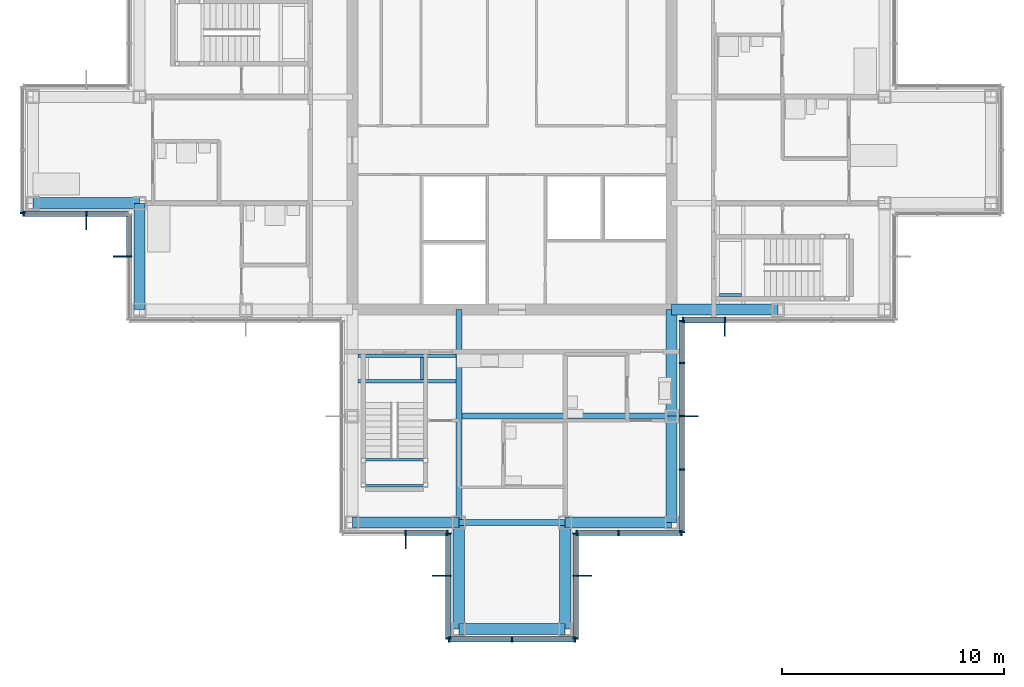
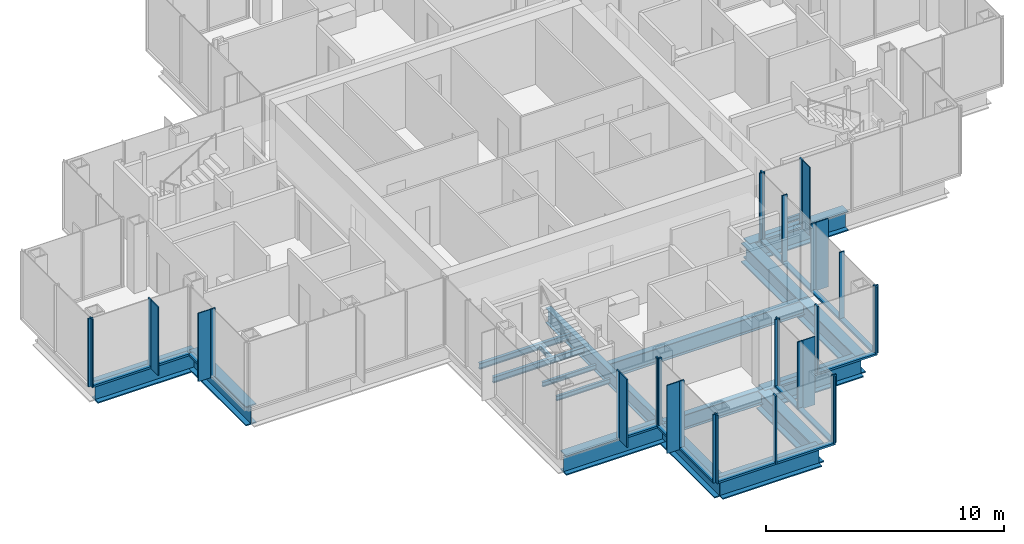
# One storey, part 6 of 17: 49 members, 19 beams, 10 elements without a shape of their own.
"""IFC4 building model written with IfcOpenShell, lengths in metres."""

from ifc_helpers import new_model, si_unit, direction, frame, origin, origin_2d, place, context, subcontext, project, spatial, rectangle, i_section, extrude, material, material_profile, profile_set, type_object, element, aggregate, save


model = new_model("IFC4")

# Units and contexts
model_context = context("Model", 3, precision=1e-05, world=origin(), true_north=direction((0.0, 1.0)))
body_context = subcontext(model_context, "Body", "Model", "MODEL_VIEW")
ifc_project = project(units=[si_unit("LENGTHUNIT", "METRE"), si_unit("AREAUNIT", "SQUARE_METRE"), si_unit("VOLUMEUNIT", "CUBIC_METRE"), si_unit("PLANEANGLEUNIT", "RADIAN"), si_unit("MASSUNIT", "GRAM", prefix="KILO")], contexts=[model_context])

# Site, building, storey
site_placement = place(None, origin())
site = spatial("IfcSite", under=ifc_project, at=site_placement, CompositionType="ELEMENT")
building_placement = place(site_placement, origin())
building = spatial("IfcBuilding", under=site, at=building_placement, Name="Kvirike Care Tower", CompositionType="ELEMENT")
storey_placement = place(building_placement, frame((0.0, 0.0, 162.0)))
storey = spatial("IfcBuildingStorey", under=building, at=storey_placement, Name="L44", CompositionType="ELEMENT", Elevation=162.0)

# Curtain wall, member
ifc_material_1 = material(Name="Anodised aluminium stick system", Category="aluminium")
curtain_wall_type = type_object("IfcCurtainWallType", Name="CW-C STICK CURTAIN WALL", PredefinedType="NOTDEFINED", material=ifc_material_1)
curtain_wall_1_placement = place(storey_placement, origin())
curtain_wall_1 = element("IfcCurtainWall", 1, at=curtain_wall_1_placement, inside=storey, type_object=curtain_wall_type, Name="Curtain wall L44 face 1", PredefinedType="NOTDEFINED")
ifc_material_2 = material(Name="Bronze anodised aluminium fin", Category="aluminium")
ifc_material_profile_1 = material_profile(ifc_material_2, rectangle(XDim=0.050048828125, YDim=0.60009765625, at=origin_2d()), Name="BRONZE FIN 600")
ifc_profile_set_1 = profile_set([ifc_material_profile_1], Name="Bronze anodised aluminium fin")
member_type_1 = type_object("IfcMemberType", Name="BRONZE FIN 600", PredefinedType="USERDEFINED", material=ifc_profile_set_1)
member_1_placement = place(storey_placement, frame((31.199951171875, 27.909912109375, 0.0), z_axis=(0.0, 0.0, 1.0), x_axis=(1.0, 0.0, 0.0)))
member_1 = element("IfcMember", 2, at=member_1_placement, type_object=member_type_1, Name="Bronze fin L44 face 1.2", ObjectType="FIN", PredefinedType="USERDEFINED", context=body_context, shape_type="SweptSolid", body=[
    extrude(rectangle(XDim=0.050048828125, YDim=0.60009765625, at=origin_2d()), origin(), (0.0, 0.0, 1.0), 3.5),
])

curtain_wall_2_placement = place(storey_placement, origin())
curtain_wall_2 = element("IfcCurtainWall", 3, at=curtain_wall_2_placement, inside=storey, type_object=curtain_wall_type, Name="Curtain wall L44 face 19", PredefinedType="NOTDEFINED")
member_2_placement = place(storey_placement, frame((2.39990234375, 32.7099609375, 0.0), z_axis=(0.0, 0.0, 1.0), x_axis=(1.0, 0.0, 0.0)))
member_2 = element("IfcMember", 4, at=member_2_placement, type_object=member_type_1, Name="Bronze fin L44 face 19.2", ObjectType="FIN", PredefinedType="USERDEFINED", context=body_context, shape_type="SweptSolid", body=[
    extrude(rectangle(XDim=0.050048828125, YDim=0.60009765625, at=origin_2d()), origin(), (0.0, 0.0, 1.0), 3.5),
])

curtain_wall_3_placement = place(storey_placement, origin())
curtain_wall_3 = element("IfcCurtainWall", 5, at=curtain_wall_3_placement, inside=storey, type_object=curtain_wall_type, Name="Curtain wall L44 face 20", PredefinedType="NOTDEFINED")
member_3_placement = place(storey_placement, frame((3.909912109375, 31.199951171875, 0.0), z_axis=(0.0, 0.0, 1.0), x_axis=(0.0, -1.0, 0.0)))
member_3 = element("IfcMember", 6, at=member_3_placement, type_object=member_type_1, Name="Bronze fin L44 face 20.2", ObjectType="FIN", PredefinedType="USERDEFINED", context=body_context, shape_type="SweptSolid", body=[
    extrude(rectangle(XDim=0.050048828125, YDim=0.60009765625, at=origin_2d()), origin(), (0.0, 0.0, 1.0), 3.5),
])

curtain_wall_4_placement = place(storey_placement, origin())
curtain_wall_4 = element("IfcCurtainWall", 7, at=curtain_wall_4_placement, inside=storey, type_object=curtain_wall_type, Name="Curtain wall L44 face 23", PredefinedType="NOTDEFINED")
member_4_placement = place(storey_placement, frame((16.800048828125, 18.31005859375, 0.0), z_axis=(0.0, 0.0, 1.0), x_axis=(1.0, 0.0, 0.0)))
member_4 = element("IfcMember", 8, at=member_4_placement, type_object=member_type_1, Name="Bronze fin L44 face 23.2", ObjectType="FIN", PredefinedType="USERDEFINED", context=body_context, shape_type="SweptSolid", body=[
    extrude(rectangle(XDim=0.050048828125, YDim=0.60009765625, at=origin_2d()), origin(), (0.0, 0.0, 1.0), 3.5),
])

curtain_wall_5_placement = place(storey_placement, origin())
curtain_wall_5 = element("IfcCurtainWall", 9, at=curtain_wall_5_placement, inside=storey, type_object=curtain_wall_type, Name="Curtain wall L44 face 24", PredefinedType="NOTDEFINED")
member_5_placement = place(storey_placement, frame((18.31005859375, 16.800048828125, 0.0), z_axis=(0.0, 0.0, 1.0), x_axis=(0.0, -1.0, 0.0)))
member_5 = element("IfcMember", 10, at=member_5_placement, type_object=member_type_1, Name="Bronze fin L44 face 24.2", ObjectType="FIN", PredefinedType="USERDEFINED", context=body_context, shape_type="SweptSolid", body=[
    extrude(rectangle(XDim=0.050048828125, YDim=0.60009765625, at=origin_2d()), origin(), (0.0, 0.0, 1.0), 3.5),
])

curtain_wall_6_placement = place(storey_placement, origin())
curtain_wall_6 = element("IfcCurtainWall", 11, at=curtain_wall_6_placement, inside=storey, type_object=curtain_wall_type, Name="Curtain wall L44 face 26", PredefinedType="NOTDEFINED")
member_6_placement = place(storey_placement, frame((24.889892578125, 16.800048828125, 0.0), z_axis=(0.0, 0.0, 1.0), x_axis=(0.0, 1.0, 0.0)))
member_6 = element("IfcMember", 12, at=member_6_placement, type_object=member_type_1, Name="Bronze fin L44 face 26.2", ObjectType="FIN", PredefinedType="USERDEFINED", context=body_context, shape_type="SweptSolid", body=[
    extrude(rectangle(XDim=0.050048828125, YDim=0.60009765625, at=origin_2d()), origin(), (0.0, 0.0, 1.0), 3.5),
])

curtain_wall_7_placement = place(storey_placement, origin())
curtain_wall_7 = element("IfcCurtainWall", 13, at=curtain_wall_7_placement, inside=storey, type_object=curtain_wall_type, Name="Curtain wall L44 face 28", PredefinedType="NOTDEFINED")
member_7_placement = place(storey_placement, frame((29.68994140625, 24.0, 0.0), z_axis=(0.0, 0.0, 1.0), x_axis=(0.0, 1.0, 0.0)))
member_7 = element("IfcMember", 14, at=member_7_placement, type_object=member_type_1, Name="Bronze fin L44 face 28.3", ObjectType="FIN", PredefinedType="USERDEFINED", context=body_context, shape_type="SweptSolid", body=[
    extrude(rectangle(XDim=0.050048828125, YDim=0.60009765625, at=origin_2d()), origin(), (0.0, 0.0, 1.0), 3.5),
])

# Member
ifc_material_3 = material(Name="Bronze anodised aluminium mullion", Category="aluminium")
ifc_material_profile_2 = material_profile(ifc_material_3, rectangle(XDim=0.06494140625, YDim=0.239990234375, at=origin_2d()), Name="CW-C MULLION 65x240")
ifc_profile_set_2 = profile_set([ifc_material_profile_2], Name="Bronze anodised aluminium mullion")
member_type_2 = type_object("IfcMemberType", Name="CW-C MULLION 65x240", PredefinedType="MULLION", material=ifc_profile_set_2)
member_8_placement = place(storey_placement, frame((29.302490234375, 28.330078125, 0.0), z_axis=(0.0, 0.0, 1.0), x_axis=(1.0, 0.0, 0.0)))
member_8 = element("IfcMember", 15, at=member_8_placement, type_object=member_type_2, Name="CW-C mullion L44 face 1.1", PredefinedType="MULLION", context=body_context, shape_type="SweptSolid", body=[
    extrude(rectangle(XDim=0.06494140625, YDim=0.239990234375, at=origin_2d()), origin(), (0.0, 0.0, 1.0), 3.5),
])

member_9_placement = place(storey_placement, frame((31.199951171875, 28.330078125, 0.0), z_axis=(0.0, 0.0, 1.0), x_axis=(1.0, 0.0, 0.0)))
member_9 = element("IfcMember", 16, at=member_9_placement, type_object=member_type_2, Name="CW-C mullion L44 face 1.2", PredefinedType="MULLION", context=body_context, shape_type="SweptSolid", body=[
    extrude(rectangle(XDim=0.06494140625, YDim=0.239990234375, at=origin_2d()), origin(), (0.0, 0.0, 1.0), 3.5),
])

# Curtain wall, member
curtain_wall_8_placement = place(storey_placement, origin())
curtain_wall_8 = element("IfcCurtainWall", 17, at=curtain_wall_8_placement, inside=storey, type_object=curtain_wall_type, Name="Curtain wall L44 face 18", PredefinedType="NOTDEFINED")
member_10_placement = place(storey_placement, frame((-0.469970703125, 33.16259765625, 0.0), z_axis=(0.0, 0.0, 1.0), x_axis=(0.0, -1.0, 0.0)))
member_10 = element("IfcMember", 18, at=member_10_placement, type_object=member_type_2, Name="CW-C mullion L44 face 18.3", PredefinedType="MULLION", context=body_context, shape_type="SweptSolid", body=[
    extrude(rectangle(XDim=0.06494140625, YDim=0.239990234375, at=origin_2d()), origin(), (0.0, 0.0, 1.0), 3.5),
])
aggregate(curtain_wall_8, [member_10])

# Member
member_11_placement = place(storey_placement, frame((-0.4375, 33.1298828125, 0.0), z_axis=(0.0, 0.0, 1.0), x_axis=(1.0, 0.0, 0.0)))
member_11 = element("IfcMember", 19, at=member_11_placement, type_object=member_type_2, Name="CW-C mullion L44 face 19.1", PredefinedType="MULLION", context=body_context, shape_type="SweptSolid", body=[
    extrude(rectangle(XDim=0.06494140625, YDim=0.239990234375, at=origin_2d()), origin(), (0.0, 0.0, 1.0), 3.5),
])

member_12_placement = place(storey_placement, frame((2.39990234375, 33.1298828125, 0.0), z_axis=(0.0, 0.0, 1.0), x_axis=(1.0, 0.0, 0.0)))
member_12 = element("IfcMember", 20, at=member_12_placement, type_object=member_type_2, Name="CW-C mullion L44 face 19.2", PredefinedType="MULLION", context=body_context, shape_type="SweptSolid", body=[
    extrude(rectangle(XDim=0.06494140625, YDim=0.239990234375, at=origin_2d()), origin(), (0.0, 0.0, 1.0), 3.5),
])

member_13_placement = place(storey_placement, frame((4.330078125, 31.199951171875, 0.0), z_axis=(0.0, 0.0, 1.0), x_axis=(0.0, -1.0, 0.0)))
member_13 = element("IfcMember", 21, at=member_13_placement, type_object=member_type_2, Name="CW-C mullion L44 face 20.2", PredefinedType="MULLION", context=body_context, shape_type="SweptSolid", body=[
    extrude(rectangle(XDim=0.06494140625, YDim=0.239990234375, at=origin_2d()), origin(), (0.0, 0.0, 1.0), 3.5),
])

member_14_placement = place(storey_placement, frame((16.800048828125, 18.72998046875, 0.0), z_axis=(0.0, 0.0, 1.0), x_axis=(1.0, 0.0, 0.0)))
member_14 = element("IfcMember", 22, at=member_14_placement, type_object=member_type_2, Name="CW-C mullion L44 face 23.2", PredefinedType="MULLION", context=body_context, shape_type="SweptSolid", body=[
    extrude(rectangle(XDim=0.06494140625, YDim=0.239990234375, at=origin_2d()), origin(), (0.0, 0.0, 1.0), 3.5),
])

member_15_placement = place(storey_placement, frame((18.697509765625, 18.72998046875, 0.0), z_axis=(0.0, 0.0, 1.0), x_axis=(1.0, 0.0, 0.0)))
member_15 = element("IfcMember", 23, at=member_15_placement, type_object=member_type_2, Name="CW-C mullion L44 face 23.3", PredefinedType="MULLION", context=body_context, shape_type="SweptSolid", body=[
    extrude(rectangle(XDim=0.06494140625, YDim=0.239990234375, at=origin_2d()), origin(), (0.0, 0.0, 1.0), 3.5),
])

member_16_placement = place(storey_placement, frame((18.72998046875, 18.697509765625, 0.0), z_axis=(0.0, 0.0, 1.0), x_axis=(0.0, -1.0, 0.0)))
member_16 = element("IfcMember", 24, at=member_16_placement, type_object=member_type_2, Name="CW-C mullion L44 face 24.1", PredefinedType="MULLION", context=body_context, shape_type="SweptSolid", body=[
    extrude(rectangle(XDim=0.06494140625, YDim=0.239990234375, at=origin_2d()), origin(), (0.0, 0.0, 1.0), 3.5),
])

member_17_placement = place(storey_placement, frame((18.72998046875, 16.800048828125, 0.0), z_axis=(0.0, 0.0, 1.0), x_axis=(0.0, -1.0, 0.0)))
member_17 = element("IfcMember", 25, at=member_17_placement, type_object=member_type_2, Name="CW-C mullion L44 face 24.2", PredefinedType="MULLION", context=body_context, shape_type="SweptSolid", body=[
    extrude(rectangle(XDim=0.06494140625, YDim=0.239990234375, at=origin_2d()), origin(), (0.0, 0.0, 1.0), 3.5),
])

member_18_placement = place(storey_placement, frame((18.72998046875, 13.96240234375, 0.0), z_axis=(0.0, 0.0, 1.0), x_axis=(0.0, -1.0, 0.0)))
member_18 = element("IfcMember", 26, at=member_18_placement, type_object=member_type_2, Name="CW-C mullion L44 face 24.3", PredefinedType="MULLION", context=body_context, shape_type="SweptSolid", body=[
    extrude(rectangle(XDim=0.06494140625, YDim=0.239990234375, at=origin_2d()), origin(), (0.0, 0.0, 1.0), 3.5),
])

# Curtain wall, members
curtain_wall_9_placement = place(storey_placement, origin())
curtain_wall_9 = element("IfcCurtainWall", 27, at=curtain_wall_9_placement, inside=storey, type_object=curtain_wall_type, Name="Curtain wall L44 face 25", PredefinedType="NOTDEFINED")
member_19_placement = place(storey_placement, frame((18.762451171875, 13.929931640625, 0.0), z_axis=(0.0, 0.0, 1.0), x_axis=(1.0, 0.0, 0.0)))
member_19 = element("IfcMember", 28, at=member_19_placement, type_object=member_type_2, Name="CW-C mullion L44 face 25.1", PredefinedType="MULLION", context=body_context, shape_type="SweptSolid", body=[
    extrude(rectangle(XDim=0.06494140625, YDim=0.239990234375, at=origin_2d()), origin(), (0.0, 0.0, 1.0), 3.5),
])
member_20_placement = place(storey_placement, frame((21.60009765625, 13.929931640625, 0.0), z_axis=(0.0, 0.0, 1.0), x_axis=(1.0, 0.0, 0.0)))
member_20 = element("IfcMember", 29, at=member_20_placement, type_object=member_type_2, Name="CW-C mullion L44 face 25.2", PredefinedType="MULLION", context=body_context, shape_type="SweptSolid", body=[
    extrude(rectangle(XDim=0.06494140625, YDim=0.239990234375, at=origin_2d()), origin(), (0.0, 0.0, 1.0), 3.5),
])
member_21_placement = place(storey_placement, frame((24.4375, 13.929931640625, 0.0), z_axis=(0.0, 0.0, 1.0), x_axis=(1.0, 0.0, 0.0)))
member_21 = element("IfcMember", 30, at=member_21_placement, type_object=member_type_2, Name="CW-C mullion L44 face 25.3", PredefinedType="MULLION", context=body_context, shape_type="SweptSolid", body=[
    extrude(rectangle(XDim=0.06494140625, YDim=0.239990234375, at=origin_2d()), origin(), (0.0, 0.0, 1.0), 3.5),
])

# Member
member_22_placement = place(storey_placement, frame((24.469970703125, 13.96240234375, 0.0), z_axis=(0.0, 0.0, 1.0), x_axis=(0.0, 1.0, 0.0)))
member_22 = element("IfcMember", 31, at=member_22_placement, type_object=member_type_2, Name="CW-C mullion L44 face 26.1", PredefinedType="MULLION", context=body_context, shape_type="SweptSolid", body=[
    extrude(rectangle(XDim=0.06494140625, YDim=0.239990234375, at=origin_2d()), origin(), (0.0, 0.0, 1.0), 3.5),
])

member_23_placement = place(storey_placement, frame((24.469970703125, 16.800048828125, 0.0), z_axis=(0.0, 0.0, 1.0), x_axis=(0.0, 1.0, 0.0)))
member_23 = element("IfcMember", 32, at=member_23_placement, type_object=member_type_2, Name="CW-C mullion L44 face 26.2", PredefinedType="MULLION", context=body_context, shape_type="SweptSolid", body=[
    extrude(rectangle(XDim=0.06494140625, YDim=0.239990234375, at=origin_2d()), origin(), (0.0, 0.0, 1.0), 3.5),
])

member_24_placement = place(storey_placement, frame((24.469970703125, 18.697509765625, 0.0), z_axis=(0.0, 0.0, 1.0), x_axis=(0.0, 1.0, 0.0)))
member_24 = element("IfcMember", 33, at=member_24_placement, type_object=member_type_2, Name="CW-C mullion L44 face 26.3", PredefinedType="MULLION", context=body_context, shape_type="SweptSolid", body=[
    extrude(rectangle(XDim=0.06494140625, YDim=0.239990234375, at=origin_2d()), origin(), (0.0, 0.0, 1.0), 3.5),
])

# Curtain wall, members
curtain_wall_10_placement = place(storey_placement, origin())
curtain_wall_10 = element("IfcCurtainWall", 34, at=curtain_wall_10_placement, inside=storey, type_object=curtain_wall_type, Name="Curtain wall L44 face 27", PredefinedType="NOTDEFINED")
member_25_placement = place(storey_placement, frame((24.50244140625, 18.72998046875, 0.0), z_axis=(0.0, 0.0, 1.0), x_axis=(1.0, 0.0, 0.0)))
member_25 = element("IfcMember", 35, at=member_25_placement, type_object=member_type_2, Name="CW-C mullion L44 face 27.1", PredefinedType="MULLION", context=body_context, shape_type="SweptSolid", body=[
    extrude(rectangle(XDim=0.06494140625, YDim=0.239990234375, at=origin_2d()), origin(), (0.0, 0.0, 1.0), 3.5),
])
member_26_placement = place(storey_placement, frame((26.39990234375, 18.72998046875, 0.0), z_axis=(0.0, 0.0, 1.0), x_axis=(1.0, 0.0, 0.0)))
member_26 = element("IfcMember", 36, at=member_26_placement, type_object=member_type_2, Name="CW-C mullion L44 face 27.2", PredefinedType="MULLION", context=body_context, shape_type="SweptSolid", body=[
    extrude(rectangle(XDim=0.06494140625, YDim=0.239990234375, at=origin_2d()), origin(), (0.0, 0.0, 1.0), 3.5),
])
member_27_placement = place(storey_placement, frame((29.237548828125, 18.72998046875, 0.0), z_axis=(0.0, 0.0, 1.0), x_axis=(1.0, 0.0, 0.0)))
member_27 = element("IfcMember", 37, at=member_27_placement, type_object=member_type_2, Name="CW-C mullion L44 face 27.3", PredefinedType="MULLION", context=body_context, shape_type="SweptSolid", body=[
    extrude(rectangle(XDim=0.06494140625, YDim=0.239990234375, at=origin_2d()), origin(), (0.0, 0.0, 1.0), 3.5),
])

# Member
member_28_placement = place(storey_placement, frame((29.27001953125, 18.762451171875, 0.0), z_axis=(0.0, 0.0, 1.0), x_axis=(0.0, 1.0, 0.0)))
member_28 = element("IfcMember", 38, at=member_28_placement, type_object=member_type_2, Name="CW-C mullion L44 face 28.1", PredefinedType="MULLION", context=body_context, shape_type="SweptSolid", body=[
    extrude(rectangle(XDim=0.06494140625, YDim=0.239990234375, at=origin_2d()), origin(), (0.0, 0.0, 1.0), 3.5),
])

member_29_placement = place(storey_placement, frame((29.27001953125, 21.60009765625, 0.0), z_axis=(0.0, 0.0, 1.0), x_axis=(0.0, 1.0, 0.0)))
member_29 = element("IfcMember", 39, at=member_29_placement, type_object=member_type_2, Name="CW-C mullion L44 face 28.2", PredefinedType="MULLION", context=body_context, shape_type="SweptSolid", body=[
    extrude(rectangle(XDim=0.06494140625, YDim=0.239990234375, at=origin_2d()), origin(), (0.0, 0.0, 1.0), 3.5),
])

member_30_placement = place(storey_placement, frame((29.27001953125, 24.0, 0.0), z_axis=(0.0, 0.0, 1.0), x_axis=(0.0, 1.0, 0.0)))
member_30 = element("IfcMember", 40, at=member_30_placement, type_object=member_type_2, Name="CW-C mullion L44 face 28.3", PredefinedType="MULLION", context=body_context, shape_type="SweptSolid", body=[
    extrude(rectangle(XDim=0.06494140625, YDim=0.239990234375, at=origin_2d()), origin(), (0.0, 0.0, 1.0), 3.5),
])

member_31_placement = place(storey_placement, frame((29.27001953125, 26.39990234375, 0.0), z_axis=(0.0, 0.0, 1.0), x_axis=(0.0, 1.0, 0.0)))
member_31 = element("IfcMember", 41, at=member_31_placement, type_object=member_type_2, Name="CW-C mullion L44 face 28.4", PredefinedType="MULLION", context=body_context, shape_type="SweptSolid", body=[
    extrude(rectangle(XDim=0.06494140625, YDim=0.239990234375, at=origin_2d()), origin(), (0.0, 0.0, 1.0), 3.5),
])

member_32_placement = place(storey_placement, frame((29.27001953125, 28.297607421875, 0.0), z_axis=(0.0, 0.0, 1.0), x_axis=(0.0, 1.0, 0.0)))
member_32 = element("IfcMember", 42, at=member_32_placement, type_object=member_type_2, Name="CW-C mullion L44 face 28.5", PredefinedType="MULLION", context=body_context, shape_type="SweptSolid", body=[
    extrude(rectangle(XDim=0.06494140625, YDim=0.239990234375, at=origin_2d()), origin(), (0.0, 0.0, 1.0), 3.5),
])

ifc_material_4 = material(Name="Bronze anodised aluminium transom", Category="aluminium")
ifc_material_profile_3 = material_profile(ifc_material_4, rectangle(XDim=0.239990234375, YDim=0.10009765625, at=origin_2d()), Name="CW-C TRANSOM 240x100")
ifc_profile_set_3 = profile_set([ifc_material_profile_3], Name="Bronze anodised aluminium transom")
member_type_3 = type_object("IfcMemberType", Name="CW-C TRANSOM 240x100", PredefinedType="USERDEFINED", material=ifc_profile_set_3)
member_33_placement = place(storey_placement, frame((29.3349609375, 28.330078125, 0.050048828125), z_axis=(1.0, 0.0, 0.0), x_axis=(0.0, 1.0, 0.0)))
member_33 = element("IfcMember", 43, at=member_33_placement, type_object=member_type_3, Name="CW-C sill transom L44 face 1.1", ObjectType="TRANSOM", PredefinedType="USERDEFINED", context=body_context, shape_type="SweptSolid", body=[
    extrude(rectangle(XDim=0.239990234375, YDim=0.10009765625, at=origin_2d()), origin(), (0.0, 0.0, 1.0), 1.83251953125),
])

aggregate(curtain_wall_1, [member_8, member_9, member_1, member_33])

member_34_placement = place(storey_placement, frame((-0.405029296875, 33.1298828125, 0.050048828125), z_axis=(1.0, 0.0, 0.0), x_axis=(0.0, 1.0, 0.0)))
member_34 = element("IfcMember", 44, at=member_34_placement, type_object=member_type_3, Name="CW-C sill transom L44 face 19.1", ObjectType="TRANSOM", PredefinedType="USERDEFINED", context=body_context, shape_type="SweptSolid", body=[
    extrude(rectangle(XDim=0.239990234375, YDim=0.10009765625, at=origin_2d()), origin(), (0.0, 0.0, 1.0), 2.7724609375),
])

member_35_placement = place(storey_placement, frame((2.4326171875, 33.1298828125, 0.050048828125), z_axis=(1.0, 0.0, 0.0), x_axis=(0.0, 1.0, 0.0)))
member_35 = element("IfcMember", 45, at=member_35_placement, type_object=member_type_3, Name="CW-C sill transom L44 face 19.2", ObjectType="TRANSOM", PredefinedType="USERDEFINED", context=body_context, shape_type="SweptSolid", body=[
    extrude(rectangle(XDim=0.239990234375, YDim=0.10009765625, at=origin_2d()), origin(), (0.0, 0.0, 1.0), 1.832275390625),
])

aggregate(curtain_wall_2, [member_11, member_12, member_2, member_34, member_35])

member_36_placement = place(storey_placement, frame((4.330078125, 33.06494140625, 0.050048828125), z_axis=(0.0, -1.0, 0.0), x_axis=(1.0, 0.0, 0.0)))
member_36 = element("IfcMember", 46, at=member_36_placement, type_object=member_type_3, Name="CW-C sill transom L44 face 20.1", ObjectType="TRANSOM", PredefinedType="USERDEFINED", context=body_context, shape_type="SweptSolid", body=[
    extrude(rectangle(XDim=0.239990234375, YDim=0.10009765625, at=origin_2d()), origin(), (0.0, 0.0, 1.0), 1.83251953125),
])

aggregate(curtain_wall_3, [member_13, member_3, member_36])

member_37_placement = place(storey_placement, frame((16.83251953125, 18.72998046875, 0.050048828125), z_axis=(1.0, 0.0, 0.0), x_axis=(0.0, 1.0, 0.0)))
member_37 = element("IfcMember", 47, at=member_37_placement, type_object=member_type_3, Name="CW-C sill transom L44 face 23.2", ObjectType="TRANSOM", PredefinedType="USERDEFINED", context=body_context, shape_type="SweptSolid", body=[
    extrude(rectangle(XDim=0.239990234375, YDim=0.10009765625, at=origin_2d()), origin(), (0.0, 0.0, 1.0), 1.83251953125),
])

aggregate(curtain_wall_4, [member_14, member_4, member_15, member_37])

member_38_placement = place(storey_placement, frame((18.72998046875, 18.6650390625, 0.050048828125), z_axis=(0.0, -1.0, 0.0), x_axis=(1.0, 0.0, 0.0)))
member_38 = element("IfcMember", 48, at=member_38_placement, type_object=member_type_3, Name="CW-C sill transom L44 face 24.1", ObjectType="TRANSOM", PredefinedType="USERDEFINED", context=body_context, shape_type="SweptSolid", body=[
    extrude(rectangle(XDim=0.239990234375, YDim=0.10009765625, at=origin_2d()), origin(), (0.0, 0.0, 1.0), 1.83251953125),
])

member_39_placement = place(storey_placement, frame((18.72998046875, 16.767578125, 0.050048828125), z_axis=(0.0, -1.0, 0.0), x_axis=(1.0, 0.0, 0.0)))
member_39 = element("IfcMember", 49, at=member_39_placement, type_object=member_type_3, Name="CW-C sill transom L44 face 24.2", ObjectType="TRANSOM", PredefinedType="USERDEFINED", context=body_context, shape_type="SweptSolid", body=[
    extrude(rectangle(XDim=0.239990234375, YDim=0.10009765625, at=origin_2d()), origin(), (0.0, 0.0, 1.0), 2.7724609375),
])

aggregate(curtain_wall_5, [member_16, member_17, member_5, member_18, member_38, member_39])

member_40_placement = place(storey_placement, frame((18.794921875, 13.929931640625, 0.050048828125), z_axis=(1.0, 0.0, 0.0), x_axis=(0.0, 1.0, 0.0)))
member_40 = element("IfcMember", 50, at=member_40_placement, type_object=member_type_3, Name="CW-C sill transom L44 face 25.1", ObjectType="TRANSOM", PredefinedType="USERDEFINED", context=body_context, shape_type="SweptSolid", body=[
    extrude(rectangle(XDim=0.239990234375, YDim=0.10009765625, at=origin_2d()), origin(), (0.0, 0.0, 1.0), 2.7724609375),
])

member_41_placement = place(storey_placement, frame((21.632568359375, 13.929931640625, 0.050048828125), z_axis=(1.0, 0.0, 0.0), x_axis=(0.0, 1.0, 0.0)))
member_41 = element("IfcMember", 51, at=member_41_placement, type_object=member_type_3, Name="CW-C sill transom L44 face 25.2", ObjectType="TRANSOM", PredefinedType="USERDEFINED", context=body_context, shape_type="SweptSolid", body=[
    extrude(rectangle(XDim=0.239990234375, YDim=0.10009765625, at=origin_2d()), origin(), (0.0, 0.0, 1.0), 2.7724609375),
])

aggregate(curtain_wall_9, [member_19, member_20, member_21, member_40, member_41])

member_42_placement = place(storey_placement, frame((24.469970703125, 13.9951171875, 0.050048828125), z_axis=(0.0, 1.0, 0.0), x_axis=(-1.0, 0.0, 0.0)))
member_42 = element("IfcMember", 52, at=member_42_placement, type_object=member_type_3, Name="CW-C sill transom L44 face 26.1", ObjectType="TRANSOM", PredefinedType="USERDEFINED", context=body_context, shape_type="SweptSolid", body=[
    extrude(rectangle(XDim=0.239990234375, YDim=0.10009765625, at=origin_2d()), origin(), (0.0, 0.0, 1.0), 2.7724609375),
])

member_43_placement = place(storey_placement, frame((24.469970703125, 16.83251953125, 0.050048828125), z_axis=(0.0, 1.0, 0.0), x_axis=(-1.0, 0.0, 0.0)))
member_43 = element("IfcMember", 53, at=member_43_placement, type_object=member_type_3, Name="CW-C sill transom L44 face 26.2", ObjectType="TRANSOM", PredefinedType="USERDEFINED", context=body_context, shape_type="SweptSolid", body=[
    extrude(rectangle(XDim=0.239990234375, YDim=0.10009765625, at=origin_2d()), origin(), (0.0, 0.0, 1.0), 1.83251953125),
])

aggregate(curtain_wall_6, [member_22, member_23, member_6, member_24, member_42, member_43])

member_44_placement = place(storey_placement, frame((24.534912109375, 18.72998046875, 0.050048828125), z_axis=(1.0, 0.0, 0.0), x_axis=(0.0, 1.0, 0.0)))
member_44 = element("IfcMember", 54, at=member_44_placement, type_object=member_type_3, Name="CW-C sill transom L44 face 27.1", ObjectType="TRANSOM", PredefinedType="USERDEFINED", context=body_context, shape_type="SweptSolid", body=[
    extrude(rectangle(XDim=0.239990234375, YDim=0.10009765625, at=origin_2d()), origin(), (0.0, 0.0, 1.0), 1.83251953125),
])

member_45_placement = place(storey_placement, frame((26.4326171875, 18.72998046875, 0.050048828125), z_axis=(1.0, 0.0, 0.0), x_axis=(0.0, 1.0, 0.0)))
member_45 = element("IfcMember", 55, at=member_45_placement, type_object=member_type_3, Name="CW-C sill transom L44 face 27.2", ObjectType="TRANSOM", PredefinedType="USERDEFINED", context=body_context, shape_type="SweptSolid", body=[
    extrude(rectangle(XDim=0.239990234375, YDim=0.10009765625, at=origin_2d()), origin(), (0.0, 0.0, 1.0), 2.7724609375),
])

aggregate(curtain_wall_10, [member_25, member_26, member_27, member_44, member_45])

member_46_placement = place(storey_placement, frame((29.27001953125, 18.794921875, 0.050048828125), z_axis=(0.0, 1.0, 0.0), x_axis=(-1.0, 0.0, 0.0)))
member_46 = element("IfcMember", 56, at=member_46_placement, type_object=member_type_3, Name="CW-C sill transom L44 face 28.1", ObjectType="TRANSOM", PredefinedType="USERDEFINED", context=body_context, shape_type="SweptSolid", body=[
    extrude(rectangle(XDim=0.239990234375, YDim=0.10009765625, at=origin_2d()), origin(), (0.0, 0.0, 1.0), 2.7724609375),
])

member_47_placement = place(storey_placement, frame((29.27001953125, 21.632568359375, 0.050048828125), z_axis=(0.0, 1.0, 0.0), x_axis=(-1.0, 0.0, 0.0)))
member_47 = element("IfcMember", 57, at=member_47_placement, type_object=member_type_3, Name="CW-C sill transom L44 face 28.2", ObjectType="TRANSOM", PredefinedType="USERDEFINED", context=body_context, shape_type="SweptSolid", body=[
    extrude(rectangle(XDim=0.239990234375, YDim=0.10009765625, at=origin_2d()), origin(), (0.0, 0.0, 1.0), 2.3349609375),
])

member_48_placement = place(storey_placement, frame((29.27001953125, 24.032470703125, 0.050048828125), z_axis=(0.0, 1.0, 0.0), x_axis=(-1.0, 0.0, 0.0)))
member_48 = element("IfcMember", 58, at=member_48_placement, type_object=member_type_3, Name="CW-C sill transom L44 face 28.3", ObjectType="TRANSOM", PredefinedType="USERDEFINED", context=body_context, shape_type="SweptSolid", body=[
    extrude(rectangle(XDim=0.239990234375, YDim=0.10009765625, at=origin_2d()), origin(), (0.0, 0.0, 1.0), 2.3349609375),
])

member_49_placement = place(storey_placement, frame((29.27001953125, 26.4326171875, 0.050048828125), z_axis=(0.0, 1.0, 0.0), x_axis=(-1.0, 0.0, 0.0)))
member_49 = element("IfcMember", 59, at=member_49_placement, type_object=member_type_3, Name="CW-C sill transom L44 face 28.4", ObjectType="TRANSOM", PredefinedType="USERDEFINED", context=body_context, shape_type="SweptSolid", body=[
    extrude(rectangle(XDim=0.239990234375, YDim=0.10009765625, at=origin_2d()), origin(), (0.0, 0.0, 1.0), 1.832275390625),
])

aggregate(curtain_wall_7, [member_28, member_29, member_30, member_7, member_31, member_32, member_46, member_47, member_48, member_49])

# Beams
ifc_material_5 = material(Name="Steel S355", Category="steel")
ifc_material_profile_4 = material_profile(ifc_material_5, i_section(OverallWidth=0.26806640625, OverallDepth=0.77001953125, WebThickness=0.015625, FlangeThickness=0.025390625, FilletRadius=0.01708984375, at=origin_2d()), Name="IPE 750x196")
ifc_profile_set_4 = profile_set([ifc_material_profile_4], Name="Steel S355")
beam_type_1 = type_object("IfcBeamType", Name="FLOOR BEAM IPE 750x196", PredefinedType="BEAM", material=ifc_profile_set_4)
beam_1_placement = place(storey_placement, frame((19.199951171875, 19.199951171875, -0.554931640625), z_axis=(1.0, 0.0, 0.0), x_axis=(0.0, 1.0, 0.0)))
element("IfcBeam", 60, at=beam_1_placement, inside=storey, type_object=beam_type_1, Name="Floor Beam E7-E8 L44", PredefinedType="BEAM", context=body_context, shape_type="SweptSolid", body=[
    extrude(i_section(OverallWidth=0.26806640625, OverallDepth=0.77001953125, WebThickness=0.015625, FlangeThickness=0.025390625, FilletRadius=0.01708984375, at=origin_2d()), origin(), (0.0, 0.0, 1.0), 4.800048828125),
])
for number, where, z_axis, x_axis, name in (
    (61, (19.199951171875, 24.0, -0.554931640625), (1.0, 0.0, 0.0), (0.0, 1.0, 0.0), "Floor Beam F7-F9 L44"),
    (62, (19.199951171875, 19.199951171875, -0.554931640625), (0.0, 1.0, 0.0), (-1.0, 0.0, 0.0), "Floor Beam E7-G7 L44"),
):
    element("IfcBeam", number, at=place(storey_placement, frame(where, z_axis=z_axis, x_axis=x_axis)), inside=storey, type_object=beam_type_1, Name=name, PredefinedType="BEAM", context=body_context, shape_type="SweptSolid", body=[
        extrude(i_section(OverallWidth=0.26806640625, OverallDepth=0.77001953125, WebThickness=0.015625, FlangeThickness=0.025390625, FilletRadius=0.01708984375, at=origin_2d()), origin(), (0.0, 0.0, 1.0), 9.60009765625),
    ])
ifc_material_6 = material(Name="Steel S355", Category="steel")
ifc_material_profile_5 = material_profile(ifc_material_6, i_section(OverallWidth=0.5, OverallDepth=1.0, WebThickness=0.030029296875, FlangeThickness=0.06005859375, at=origin_2d()), Name="PG 1000x500x30x60")
ifc_profile_set_5 = profile_set([ifc_material_profile_5], Name="Steel S355")
beam_type_2 = type_object("IfcBeamType", Name="SPANDREL PG 1000x500x30x60", PredefinedType="SPANDREL", material=ifc_profile_set_5)
for number, where, z_axis, x_axis, name in (
    (63, (19.199951171875, 14.39990234375, -0.669921875), (1.0, 0.0, 0.0), (0.0, 1.0, 0.0), "Spandrel D7-D8 L44"),
    (64, (14.39990234375, 19.199951171875, -0.669921875), (1.0, 0.0, 0.0), (0.0, 1.0, 0.0), "Spandrel E6-E7 L44"),
    (65, (24.0, 19.199951171875, -0.669921875), (1.0, 0.0, 0.0), (0.0, 1.0, 0.0), "Spandrel E8-E9 L44"),
    (66, (28.800048828125, 28.800048828125, -0.669921875), (1.0, 0.0, 0.0), (0.0, 1.0, 0.0), "Spandrel G9-G10 L44"),
    (67, (0.0, 33.60009765625, -0.669921875), (1.0, 0.0, 0.0), (0.0, 1.0, 0.0), "Spandrel H3-H4 L44"),
    (68, (4.800048828125, 28.800048828125, -0.669921875), (0.0, 1.0, 0.0), (-1.0, 0.0, 0.0), "Spandrel G4-H4 L44"),
    (69, (19.199951171875, 14.39990234375, -0.669921875), (0.0, 1.0, 0.0), (-1.0, 0.0, 0.0), "Spandrel D7-E7 L44"),
    (70, (24.0, 14.39990234375, -0.669921875), (0.0, 1.0, 0.0), (-1.0, 0.0, 0.0), "Spandrel D8-E8 L44"),
    (71, (28.800048828125, 19.199951171875, -0.669921875), (0.0, 1.0, 0.0), (-1.0, 0.0, 0.0), "Spandrel E9-F9 L44"),
    (72, (28.800048828125, 24.0, -0.669921875), (0.0, 1.0, 0.0), (-1.0, 0.0, 0.0), "Spandrel F9-G9 L44"),
):
    element("IfcBeam", number, at=place(storey_placement, frame(where, z_axis=z_axis, x_axis=x_axis)), inside=storey, type_object=beam_type_2, Name=name, PredefinedType="SPANDREL", context=body_context, shape_type="SweptSolid", body=[
        extrude(i_section(OverallWidth=0.5, OverallDepth=1.0, WebThickness=0.030029296875, FlangeThickness=0.06005859375, at=origin_2d()), origin(), (0.0, 0.0, 1.0), 4.800048828125),
    ])
ifc_material_7 = material(Name="Steel S355", Category="steel")
ifc_material_profile_6 = material_profile(ifc_material_7, i_section(OverallWidth=0.1201171875, OverallDepth=0.239990234375, WebThickness=0.006103515625, FlangeThickness=0.009765625, FilletRadius=0.014892578125, at=origin_2d()), Name="IPE 240")
ifc_profile_set_6 = profile_set([ifc_material_profile_6], Name="Steel S355")
beam_type_3 = type_object("IfcBeamType", Name="STAIR LANDING BEAM IPE 240", PredefinedType="BEAM", material=ifc_profile_set_6)
beam_2_placement = place(storey_placement, frame((31.949951171875, 29.4599609375, -0.320068359375), z_axis=(-1.0, 0.0, 0.0), x_axis=(0.0, -1.0, 0.0)))
element("IfcBeam", 73, at=beam_2_placement, inside=storey, type_object=beam_type_3, Name="Stair 2 landing edge beam 1 L44", PredefinedType="BEAM", context=body_context, shape_type="SweptSolid", body=[
    extrude(i_section(OverallWidth=0.1201171875, OverallDepth=0.239990234375, WebThickness=0.006103515625, FlangeThickness=0.009765625, FilletRadius=0.014892578125, at=origin_2d()), origin(), (0.0, 0.0, 1.0), 1.0),
])
for number, where, z_axis, x_axis, name in (
    (74, (15.0, 20.860107421875, 1.429931640625), (1.0, 0.0, 0.0), (0.0, 1.0, 0.0), "Stair 5 landing beam back L44"),
    (75, (15.0, 22.0400390625, 1.429931640625), (1.0, 0.0, 0.0), (0.0, 1.0, 0.0), "Stair 5 landing beam front L44"),
):
    element("IfcBeam", number, at=place(storey_placement, frame(where, z_axis=z_axis, x_axis=x_axis)), inside=storey, type_object=beam_type_3, Name=name, PredefinedType="BEAM", context=body_context, shape_type="SweptSolid", body=[
        extrude(i_section(OverallWidth=0.1201171875, OverallDepth=0.239990234375, WebThickness=0.006103515625, FlangeThickness=0.009765625, FilletRadius=0.014892578125, at=origin_2d()), origin(), (0.0, 0.0, 1.0), 2.60009765625),
    ])
beam_3_placement = place(storey_placement, frame((17.5400390625, 25.64990234375, -0.320068359375), z_axis=(0.0, 1.0, 0.0), x_axis=(-1.0, 0.0, 0.0)))
element("IfcBeam", 76, at=beam_3_placement, inside=storey, type_object=beam_type_3, Name="Stair 5 landing edge beam 2 L44", PredefinedType="BEAM", context=body_context, shape_type="SweptSolid", body=[
    extrude(i_section(OverallWidth=0.1201171875, OverallDepth=0.239990234375, WebThickness=0.006103515625, FlangeThickness=0.009765625, FilletRadius=0.014892578125, at=origin_2d()), origin(), (0.0, 0.0, 1.0), 1.0),
])
ifc_material_8 = material(Name="Steel S355", Category="steel")
ifc_material_profile_7 = material_profile(ifc_material_8, i_section(OverallWidth=0.14990234375, OverallDepth=0.300048828125, WebThickness=0.007080078125, FlangeThickness=0.0107421875, FilletRadius=0.014892578125, at=origin_2d()), Name="IPE 300")
ifc_profile_set_7 = profile_set([ifc_material_profile_7], Name="Steel S355")
beam_type_4 = type_object("IfcBeamType", Name="STAIR TRIMMER IPE 300", PredefinedType="BEAM", material=ifc_profile_set_7)
for number, where, z_axis, x_axis, name in (
    (77, (14.64990234375, 25.574951171875, -0.35009765625), (1.0, 0.0, 0.0), (0.0, 1.0, 0.0), "Stair 5 trimmer 1 L44"),
    (78, (14.64990234375, 26.72509765625, -0.35009765625), (1.0, 0.0, 0.0), (0.0, 1.0, 0.0), "Stair 5 trimmer 2 L44"),
):
    element("IfcBeam", number, at=place(storey_placement, frame(where, z_axis=z_axis, x_axis=x_axis)), inside=storey, type_object=beam_type_4, Name=name, PredefinedType="BEAM", context=body_context, shape_type="SweptSolid", body=[
        extrude(i_section(OverallWidth=0.14990234375, OverallDepth=0.300048828125, WebThickness=0.007080078125, FlangeThickness=0.0107421875, FilletRadius=0.014892578125, at=origin_2d()), origin(), (0.0, 0.0, 1.0), 4.416015625),
    ])

save(model, "model.ifc")
